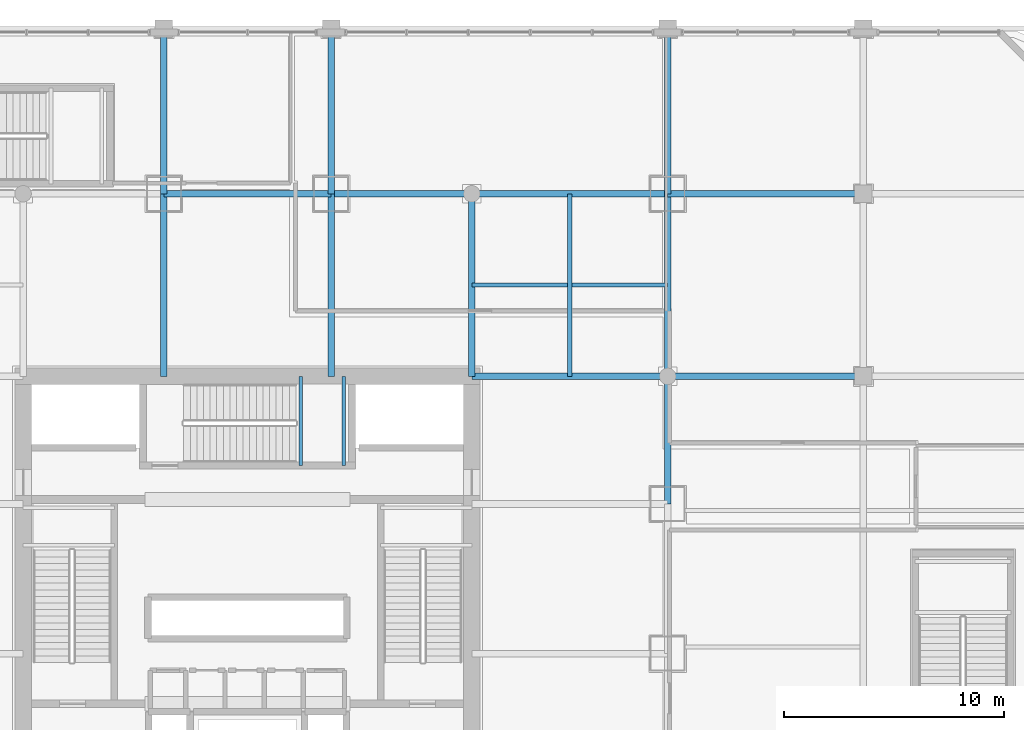
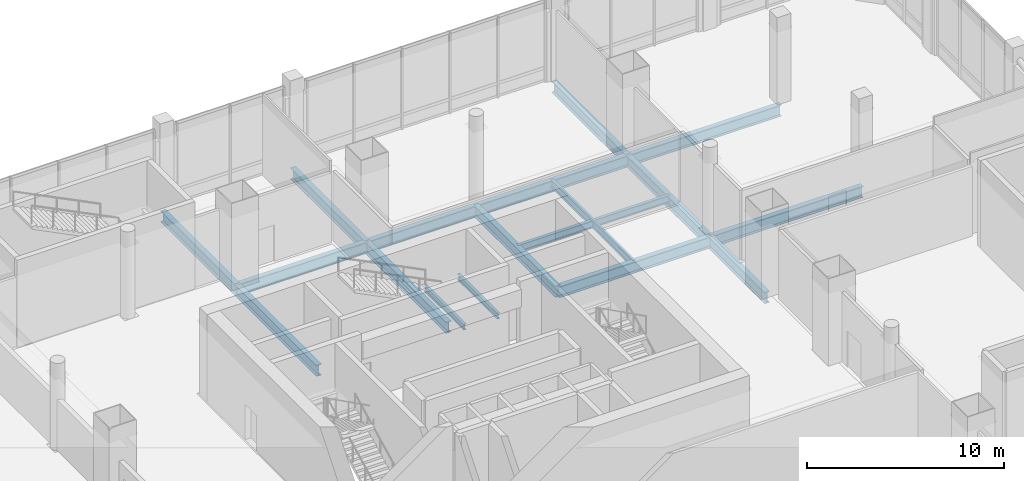
# One storey, part 12 of 35: 16 beams.
"""IFC4 building model written with IfcOpenShell, lengths in metres."""

import ifcopenshell
import ifcopenshell.guid

model = None  # the IFC model being written
_history = None  # IfcOwnerHistory: only IFC2X3 demands one
_inside = {}  # id of a spatial element -> (the spatial element, [elements in it])
_under = {}  # id of a project, library or spatial element -> (it, [spatial elements below it])
_declared = {}  # id of a project -> (the project, [libraries it declares])
_typed = {}  # id of a type object -> (the type object, [elements of that type])
_made_of = {}  # id of a material, layer set ... -> (it, [elements and type objects made of it])


def new_model(schema):
    """Start an empty IFC model of exactly this schema.

    Asked for "IFC4X3", IfcOpenShell would pick the latest addendum, in which some entities
    have other attributes; the version numbers below select the first issue.
    IFC2X3 requires an IfcOwnerHistory on every rooted entity: one is made here for all.
    """
    global model, _history
    if schema == "IFC4X3":
        model = ifcopenshell.file(schema_version=(4, 3, 0, 0))
    else:
        model = ifcopenshell.file(schema=schema)
    _inside.clear()
    _under.clear()
    _declared.clear()
    _typed.clear()
    _made_of.clear()
    _history = None
    if model.schema == "IFC2X3":
        org = make("IfcOrganization", Name="unknown")
        user = make(
            "IfcPersonAndOrganization",
            ThePerson=make("IfcPerson", FamilyName="unknown"),
            TheOrganization=org,
        )
        app = make(
            "IfcApplication",
            ApplicationDeveloper=org,
            Version="unknown",
            ApplicationFullName="unknown",
            ApplicationIdentifier="unknown",
        )
        _history = make(
            "IfcOwnerHistory",
            OwningUser=user,
            OwningApplication=app,
            ChangeAction="ADDED",
            CreationDate=0,
        )
    return model


def make(cls, **values):
    """One entity of the class cls with the attributes given. An attribute that is None is left unset."""
    return model.create_entity(
        cls, **{name: value for name, value in values.items() if value is not None}
    )


def rooted(cls, **values):
    """An entity with a GlobalId (a new one), such as an element, a storey or a relation."""
    return make(cls, GlobalId=ifcopenshell.guid.new(), OwnerHistory=_history, **values)


def si_unit(unit_type, name, prefix=None):
    """IfcSIUnit, for example si_unit("LENGTHUNIT", "METRE", prefix="MILLI")."""
    return make("IfcSIUnit", UnitType=unit_type, Prefix=prefix, Name=name)


def assignment(units):
    """IfcUnitAssignment: the units of a project."""
    return None if units is None else make("IfcUnitAssignment", Units=units)


def point(xyz):
    """IfcCartesianPoint."""
    return None if xyz is None else make("IfcCartesianPoint", Coordinates=xyz)


def direction(xyz):
    """IfcDirection."""
    return None if xyz is None else make("IfcDirection", DirectionRatios=xyz)


def frame(location, z_axis=None, x_axis=None):
    """IfcAxis2Placement3D, a coordinate frame: its origin and axes. An axis left out is left unset."""
    return make(
        "IfcAxis2Placement3D",
        Location=point(location),
        Axis=direction(z_axis),
        RefDirection=direction(x_axis),
    )


def frame_2d(location, x_axis=None):
    """IfcAxis2Placement2D, a coordinate frame in the plane: its origin and x axis."""
    return make(
        "IfcAxis2Placement2D", Location=point(location), RefDirection=direction(x_axis)
    )


def origin():
    """The frame at (0, 0, 0) with its axes left unset."""
    return frame((0.0, 0.0, 0.0))


def origin_2d():
    """The frame at (0, 0) in the plane with its x axis left unset."""
    return frame_2d((0.0, 0.0))


def place(relative_to, where):
    """IfcLocalPlacement: puts the frame where relative to a parent placement (None: the world)."""
    return make(
        "IfcLocalPlacement", PlacementRelTo=relative_to, RelativePlacement=where
    )


def context(
    kind, dimensions, precision=None, world=None, true_north=None, identifier=None
):
    """IfcGeometricRepresentationContext, for example the 3D "Model" context."""
    return make(
        "IfcGeometricRepresentationContext",
        ContextIdentifier=identifier,
        ContextType=kind,
        CoordinateSpaceDimension=dimensions,
        Precision=precision,
        WorldCoordinateSystem=world,
        TrueNorth=true_north,
    )


def subcontext(parent, identifier, kind, view, scale=None):
    """IfcGeometricRepresentationSubContext, for example "Body" below "Model"."""
    return make(
        "IfcGeometricRepresentationSubContext",
        ContextIdentifier=identifier,
        ContextType=kind,
        ParentContext=parent,
        TargetScale=scale,
        TargetView=view,
    )


def project(units=None, contexts=None):
    """IfcProject with its units and contexts."""
    return rooted(
        "IfcProject",
        Name="project",
        RepresentationContexts=contexts,
        UnitsInContext=assignment(units),
    )


def spatial(cls, under=None, at=None, **own):
    """A site, building, storey or space (cls), placed at a placement, below another one or the project."""
    s = rooted(cls, ObjectPlacement=at, **own)
    if under is not None:
        _under.setdefault(under.id(), (under, []))[1].append(s)
    return s


def profile(cls, at=None, kind="AREA", **sizes):
    """A parametric profile (cls). Its sizes go by their IFC names, for example OverallWidth=200.0."""
    return make(cls, ProfileType=kind, Position=at, **sizes)


def i_section(**sizes):
    """IfcIShapeProfileDef."""
    return profile("IfcIShapeProfileDef", **sizes)


def extrude(swept, where, along, depth):
    """IfcExtrudedAreaSolid: the profile swept, set in the frame where, extruded along a direction by depth."""
    return make(
        "IfcExtrudedAreaSolid",
        SweptArea=swept,
        Position=where,
        ExtrudedDirection=direction(along),
        Depth=depth,
    )


def shape(context_of_items, identifier, shape_type, items):
    """IfcShapeRepresentation: the items that make up one representation, for example the "Body"."""
    return make(
        "IfcShapeRepresentation",
        ContextOfItems=context_of_items,
        RepresentationIdentifier=identifier,
        RepresentationType=shape_type,
        Items=items,
    )


def material(Name=None, Category=None):
    """IfcMaterial."""
    return make("IfcMaterial", Name=Name, Category=Category)


def material_profile(
    of_material, cross_section, Name=None, Category=None, Priority=None
):
    """IfcMaterialProfile: a cross section and its material."""
    return make(
        "IfcMaterialProfile",
        Name=Name,
        Material=of_material,
        Profile=cross_section,
        Priority=Priority,
        Category=Category,
    )


def profile_set(profiles, Name=None, composite=None):
    """IfcMaterialProfileSet."""
    return make(
        "IfcMaterialProfileSet",
        Name=Name,
        MaterialProfiles=profiles,
        CompositeProfile=composite,
    )


def made_of(thing, what):
    """Note that an element or type object is made of a material, layer set ...; save() writes the relation."""
    if what is not None:
        _made_of.setdefault(what.id(), (what, []))[1].append(thing)
    return thing


def type_object(cls, material=None, **own):
    """A type object (cls), such as IfcWallType, which elements share."""
    return made_of(rooted(cls, **own), material)


def element(
    cls,
    number,
    at=None,
    inside=None,
    cuts=None,
    type_object=None,
    material=None,
    context=None,
    identifier="Body",
    shape_type=None,
    held_by="IfcProductDefinitionShape",
    body=None,
    shapes=None,
    **own,
):
    """One element of the class cls, such as IfcWall. Its Tag is "e" and its number.

    at: its placement. inside: the storey or other place that contains it. cuts: it is an
    opening in that element (IfcRelVoidsElement). A single representation is given by context,
    identifier, shape_type and body (its items); several are given by shapes. held_by: the class
    of the entity that holds the representations. save() writes the other relations.
    """
    e = rooted(cls, Tag="e%d" % number, ObjectPlacement=at, **own)
    if body is not None:
        shapes = [shape(context, identifier, shape_type, body)]
    if shapes is not None:
        e.Representation = make(held_by, Representations=shapes)
    if inside is not None:
        _inside.setdefault(inside.id(), (inside, []))[1].append(e)
    if cuts is not None:
        rooted(
            "IfcRelVoidsElement", RelatingBuildingElement=cuts, RelatedOpeningElement=e
        )
    if type_object is not None:
        _typed.setdefault(type_object.id(), (type_object, []))[1].append(e)
    return made_of(e, material)


def aggregate(whole, parts):
    """IfcRelAggregates: a whole, such as a stair, and the parts it consists of."""
    return rooted("IfcRelAggregates", RelatingObject=whole, RelatedObjects=parts)


def save(model, path):
    """Write the relations noted so far, then the file.

    IfcRelAggregates (storeys below a building ...), IfcRelContainedInSpatialStructure (elements
    in a storey), IfcRelDefinesByType, IfcRelAssociatesMaterial and IfcRelDeclares: one each for
    every whole, place, type object, material and project.
    """
    for whole, parts in _under.values():
        aggregate(whole, parts)
    for where, things in _inside.values():
        rooted(
            "IfcRelContainedInSpatialStructure",
            RelatedElements=things,
            RelatingStructure=where,
        )
    for kind, things in _typed.values():
        rooted("IfcRelDefinesByType", RelatedObjects=things, RelatingType=kind)
    for what, things in _made_of.values():
        rooted("IfcRelAssociatesMaterial", RelatedObjects=things, RelatingMaterial=what)
    for by, libraries in _declared.values():
        rooted("IfcRelDeclares", RelatingContext=by, RelatedDefinitions=libraries)
    model.write(path)


model = new_model("IFC4")

# Units and contexts
model_context = context("Model", 3, precision=1e-05, world=origin(), true_north=direction((0.0, 1.0)))
body_context = subcontext(model_context, "Body", "Model", "MODEL_VIEW")
ifc_project = project(units=[si_unit("LENGTHUNIT", "METRE"), si_unit("AREAUNIT", "SQUARE_METRE"), si_unit("VOLUMEUNIT", "CUBIC_METRE"), si_unit("PLANEANGLEUNIT", "RADIAN"), si_unit("MASSUNIT", "GRAM", prefix="KILO")], contexts=[model_context])

# Site, building, storey
site_placement = place(None, origin())
site = spatial("IfcSite", under=ifc_project, at=site_placement, CompositionType="ELEMENT")
building_placement = place(site_placement, origin())
building = spatial("IfcBuilding", under=site, at=building_placement, Name="Punatoya Terracotta Tower", CompositionType="ELEMENT")
storey_placement = place(building_placement, frame((0.0, 0.0, 16.800048828125)))
storey = spatial("IfcBuildingStorey", under=building, at=storey_placement, Name="L03", CompositionType="ELEMENT", Elevation=16.800048828125)

# Beams
ifc_material = material(Name="Steel S355", Category="steel")
ifc_material_profile_1 = material_profile(ifc_material, i_section(OverallWidth=0.300048828125, OverallDepth=0.699951171875, WebThickness=0.01708984375, FlangeThickness=0.031982421875, FilletRadius=0.01806640625, at=origin_2d()))
ifc_profile_set_1 = profile_set([ifc_material_profile_1], Name="Steel S355")
beam_type_1 = type_object("IfcBeamType", Name="BM-PRI-700", PredefinedType="BEAM", material=ifc_profile_set_1)
beam_1_placement = place(storey_placement, frame((-3.800048828125, 17.5, -0.630126953125), z_axis=(1.0, 0.0, 0.0), x_axis=(0.0, 1.0, 0.0)))
element("IfcBeam", 1, at=beam_1_placement, inside=storey, type_object=beam_type_1, Name="BM-L03-RG-N2", PredefinedType="BEAM", context=body_context, shape_type="SweptSolid", body=[
    extrude(i_section(OverallWidth=0.300048828125, OverallDepth=0.699951171875, WebThickness=0.01708984375, FlangeThickness=0.031982421875, FilletRadius=0.01806640625, at=origin_2d()), origin(), (0.0, 0.0, 1.0), 7.60009765625),
])
beam_2_placement = place(storey_placement, frame((3.800048828125, 17.5, -0.630126953125), z_axis=(1.0, 0.0, 0.0), x_axis=(0.0, 1.0, 0.0)))
element("IfcBeam", 2, at=beam_2_placement, inside=storey, type_object=beam_type_1, Name="BM-L03-RG-N3", PredefinedType="BEAM", context=body_context, shape_type="SweptSolid", body=[
    extrude(i_section(OverallWidth=0.300048828125, OverallDepth=0.699951171875, WebThickness=0.01708984375, FlangeThickness=0.031982421875, FilletRadius=0.01806640625, at=origin_2d()), origin(), (0.0, 0.0, 1.0), 15.300048828125),
])
beam_3_placement = place(storey_placement, frame((19.10009765625, 3.39990234375, -0.630126953125), z_axis=(0.0, 1.0, 0.0), x_axis=(-1.0, 0.0, 0.0)))
element("IfcBeam", 3, at=beam_3_placement, inside=storey, type_object=beam_type_1, Name="BM-L03-RG-E3", PredefinedType="BEAM", context=body_context, shape_type="SweptSolid", body=[
    extrude(i_section(OverallWidth=0.300048828125, OverallDepth=0.699951171875, WebThickness=0.01708984375, FlangeThickness=0.031982421875, FilletRadius=0.01806640625, at=origin_2d()), origin(), (0.0, 0.0, 1.0), 14.10009765625),
])
beam_4_placement = place(storey_placement, frame((10.199951171875, 9.199951171875, -0.630126953125), z_axis=(1.0, 0.0, 0.0), x_axis=(0.0, 1.0, 0.0)))
element("IfcBeam", 4, at=beam_4_placement, inside=storey, type_object=beam_type_1, Name="BM-L03-PR-EN", PredefinedType="BEAM", context=body_context, shape_type="SweptSolid", body=[
    extrude(i_section(OverallWidth=0.300048828125, OverallDepth=0.699951171875, WebThickness=0.01708984375, FlangeThickness=0.031982421875, FilletRadius=0.01806640625, at=origin_2d()), origin(), (0.0, 0.0, 1.0), 8.900146484375),
])
for number, where, z_axis, x_axis, name in (
    (5, (-3.800048828125, 9.199951171875, -0.630126953125), (0.0, 1.0, 0.0), (-1.0, 0.0, 0.0), "BM-L03-PR-N2"),
    (6, (3.800048828125, 9.199951171875, -0.630126953125), (0.0, 1.0, 0.0), (-1.0, 0.0, 0.0), "BM-L03-PR-N3"),
    (7, (10.199951171875, 9.199951171875, -0.630126953125), (0.0, 1.0, 0.0), (-1.0, 0.0, 0.0), "BM-L03-PR-N4"),
):
    element("IfcBeam", number, at=place(storey_placement, frame(where, z_axis=z_axis, x_axis=x_axis)), inside=storey, type_object=beam_type_1, Name=name, PredefinedType="BEAM", context=body_context, shape_type="SweptSolid", body=[
        extrude(i_section(OverallWidth=0.300048828125, OverallDepth=0.699951171875, WebThickness=0.01708984375, FlangeThickness=0.031982421875, FilletRadius=0.01806640625, at=origin_2d()), origin(), (0.0, 0.0, 1.0), 8.300048828125),
    ])
for number, where, z_axis, x_axis, name in (
    (8, (19.10009765625, 9.199951171875, -0.630126953125), (1.0, 0.0, 0.0), (0.0, 1.0, 0.0), "BM-L03-FE1"),
    (9, (19.10009765625, 17.5, -0.630126953125), (1.0, 0.0, 0.0), (0.0, 1.0, 0.0), "BM-L03-GE1"),
):
    element("IfcBeam", number, at=place(storey_placement, frame(where, z_axis=z_axis, x_axis=x_axis)), inside=storey, type_object=beam_type_1, Name=name, PredefinedType="BEAM", context=body_context, shape_type="SweptSolid", body=[
        extrude(i_section(OverallWidth=0.300048828125, OverallDepth=0.699951171875, WebThickness=0.01708984375, FlangeThickness=0.031982421875, FilletRadius=0.01806640625, at=origin_2d()), origin(), (0.0, 0.0, 1.0), 8.89990234375),
    ])
for number, where, z_axis, x_axis, name in (
    (10, (19.10009765625, 17.5, -0.630126953125), (0.0, 1.0, 0.0), (-1.0, 0.0, 0.0), "BM-L03-M19E-17"),
    (11, (-3.800048828125, 17.5, -0.630126953125), (0.0, 1.0, 0.0), (-1.0, 0.0, 0.0), "BM-L03-NS-3-N"),
    (12, (3.800048828125, 17.5, -0.630126953125), (0.0, 1.0, 0.0), (-1.0, 0.0, 0.0), "BM-L03-NS3-N"),
):
    element("IfcBeam", number, at=place(storey_placement, frame(where, z_axis=z_axis, x_axis=x_axis)), inside=storey, type_object=beam_type_1, Name=name, PredefinedType="BEAM", context=body_context, shape_type="SweptSolid", body=[
        extrude(i_section(OverallWidth=0.300048828125, OverallDepth=0.699951171875, WebThickness=0.01708984375, FlangeThickness=0.031982421875, FilletRadius=0.01806640625, at=origin_2d()), origin(), (0.0, 0.0, 1.0), 7.5),
    ])
ifc_material_profile_2 = material_profile(ifc_material, i_section(OverallWidth=0.169921875, OverallDepth=0.360107421875, WebThickness=0.008056640625, FlangeThickness=0.0126953125, FilletRadius=0.01806640625, at=origin_2d()))
ifc_profile_set_2 = profile_set([ifc_material_profile_2], Name="Steel S355")
beam_type_2 = type_object("IfcBeamType", Name="BM-SEC-360", PredefinedType="JOIST", material=ifc_profile_set_2)
for number, where, z_axis, x_axis, name in (
    (13, (2.419921875, 5.14990234375, 2.320068359375), (0.0, 1.0, 0.0), (-1.0, 0.0, 0.0), "BM-L03-ST-3-LD1A"),
    (14, (4.3798828125, 5.14990234375, 2.320068359375), (0.0, 1.0, 0.0), (-1.0, 0.0, 0.0), "BM-L03-ST-3-LD1B"),
):
    element("IfcBeam", number, at=place(storey_placement, frame(where, z_axis=z_axis, x_axis=x_axis)), inside=storey, type_object=beam_type_2, Name=name, PredefinedType="JOIST", context=body_context, shape_type="SweptSolid", body=[
        extrude(i_section(OverallWidth=0.169921875, OverallDepth=0.360107421875, WebThickness=0.008056640625, FlangeThickness=0.0126953125, FilletRadius=0.01806640625, at=origin_2d()), origin(), (0.0, 0.0, 1.0), 4.050048828125),
    ])
ifc_material_profile_3 = material_profile(ifc_material, i_section(OverallWidth=0.18994140625, OverallDepth=0.449951171875, WebThickness=0.009521484375, FlangeThickness=0.0146484375, FilletRadius=0.01806640625, at=origin_2d()))
ifc_profile_set_3 = profile_set([ifc_material_profile_3], Name="Steel S355")
beam_type_3 = type_object("IfcBeamType", Name="BM-SEC-450", PredefinedType="JOIST", material=ifc_profile_set_3)
beam_5_placement = place(storey_placement, frame((10.199951171875, 13.35009765625, -0.505126953125), z_axis=(1.0, 0.0, 0.0), x_axis=(0.0, 1.0, 0.0)))
element("IfcBeam", 15, at=beam_5_placement, inside=storey, type_object=beam_type_3, Name="BM-L03-SJN-2", PredefinedType="JOIST", context=body_context, shape_type="SweptSolid", body=[
    extrude(i_section(OverallWidth=0.18994140625, OverallDepth=0.449951171875, WebThickness=0.009521484375, FlangeThickness=0.0146484375, FilletRadius=0.01806640625, at=origin_2d()), origin(), (0.0, 0.0, 1.0), 8.900146484375),
])
beam_6_placement = place(storey_placement, frame((14.64990234375, 9.199951171875, -0.505126953125), z_axis=(0.0, 1.0, 0.0), x_axis=(-1.0, 0.0, 0.0)))
element("IfcBeam", 16, at=beam_6_placement, inside=storey, type_object=beam_type_3, Name="BM-L03-SJE-2", PredefinedType="JOIST", context=body_context, shape_type="SweptSolid", body=[
    extrude(i_section(OverallWidth=0.18994140625, OverallDepth=0.449951171875, WebThickness=0.009521484375, FlangeThickness=0.0146484375, FilletRadius=0.01806640625, at=origin_2d()), origin(), (0.0, 0.0, 1.0), 8.300048828125),
])

save(model, "model.ifc")
